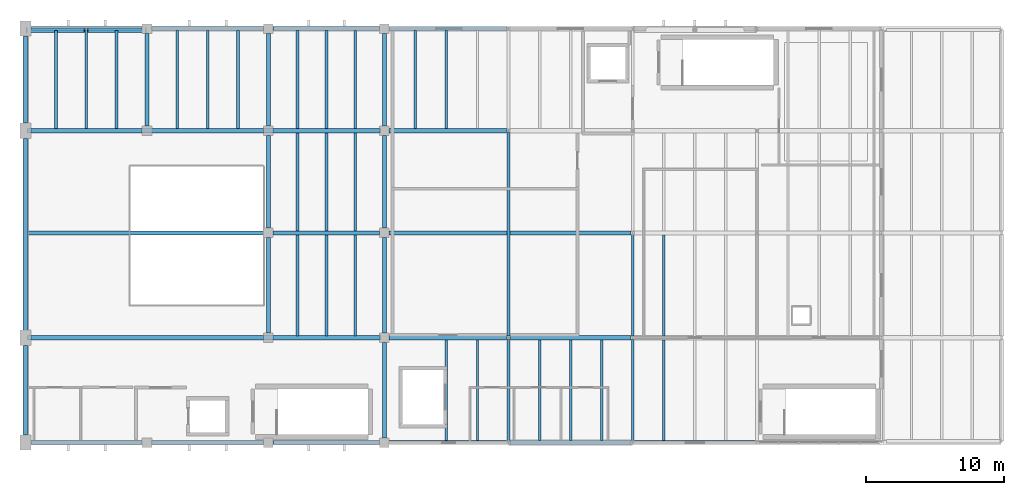
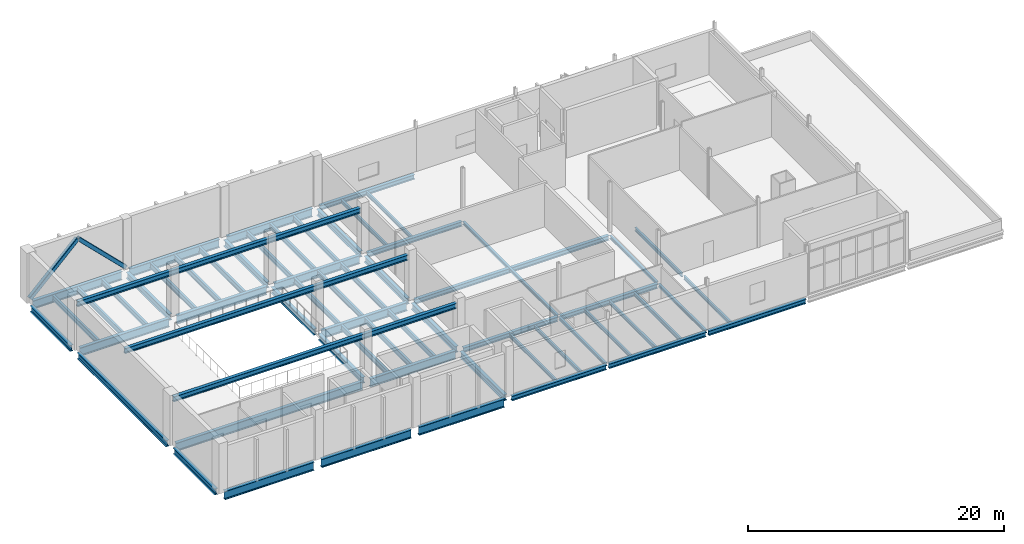
# One storey, part 4 of 14: 62 beams, 2 members.
"""IFC4 building model written with IfcOpenShell, lengths in metres."""

from ifc_helpers import new_model, si_unit, direction, frame, origin, origin_2d, place, context, subcontext, project, spatial, hollow_rectangle, i_section, extrude, material, material_profile, profile_set, type_object, element, save


model = new_model("IFC4")

# Units and contexts
model_context = context("Model", 3, precision=1e-05, world=origin(), true_north=direction((0.0, 1.0)))
body_context = subcontext(model_context, "Body", "Model", "MODEL_VIEW")
ifc_project = project(units=[si_unit("LENGTHUNIT", "METRE"), si_unit("AREAUNIT", "SQUARE_METRE"), si_unit("VOLUMEUNIT", "CUBIC_METRE"), si_unit("PLANEANGLEUNIT", "RADIAN"), si_unit("MASSUNIT", "GRAM", prefix="KILO")], contexts=[model_context])

# Site, building, storey
site_placement = place(None, origin())
site = spatial("IfcSite", under=ifc_project, at=site_placement, CompositionType="ELEMENT")
building_placement = place(site_placement, origin())
building = spatial("IfcBuilding", under=site, at=building_placement, Name="Shengluoqiao Park Theatre", CompositionType="ELEMENT")
storey_placement = place(building_placement, frame((0.0, 0.0, 23.800048828125)))
storey = spatial("IfcBuildingStorey", under=building, at=storey_placement, Name="L05", CompositionType="ELEMENT", Elevation=23.800048828125)

# Beams
ifc_material_1 = material(Name="Steel Q355", Category="steel")
ifc_material_profile_1 = material_profile(ifc_material_1, i_section(OverallWidth=0.199951171875, OverallDepth=0.2939453125, WebThickness=0.008056640625, FlangeThickness=0.011962890625, FilletRadius=0.01611328125, at=origin_2d()), Name="HM 294x200x8x12")
ifc_profile_set_1 = profile_set([ifc_material_profile_1], Name="Steel Q355")
beam_type_1 = type_object("IfcBeamType", Name="STR-BM-G-HM294", PredefinedType="BEAM", material=ifc_profile_set_1)
beam_1_placement = place(storey_placement, frame((121.39990234375, 84.118896484375, -0.406982421875), z_axis=(0.0, 1.0, 0.0), x_axis=(-1.0, 0.0, 0.0)))
element("IfcBeam", 1, at=beam_1_placement, inside=storey, type_object=beam_type_1, Name="L05 Transverse Girder 01667", PredefinedType="BEAM", context=body_context, shape_type="SweptSolid", body=[
    extrude(i_section(OverallWidth=0.199951171875, OverallDepth=0.2939453125, WebThickness=0.008056640625, FlangeThickness=0.011962890625, FilletRadius=0.01611328125, at=origin_2d()), origin(), (0.0, 0.0, 1.0), 7.362060546875),
])
beam_2_placement = place(storey_placement, frame((121.39990234375, 91.718994140625, -0.406982421875), z_axis=(0.0, 1.0, 0.0), x_axis=(-1.0, 0.0, 0.0)))
element("IfcBeam", 2, at=beam_2_placement, inside=storey, type_object=beam_type_1, Name="L05 Transverse Girder 01668", PredefinedType="BEAM", context=body_context, shape_type="SweptSolid", body=[
    extrude(i_section(OverallWidth=0.199951171875, OverallDepth=0.2939453125, WebThickness=0.008056640625, FlangeThickness=0.011962890625, FilletRadius=0.01611328125, at=origin_2d()), origin(), (0.0, 0.0, 1.0), 14.761962890625),
])
for number, where, z_axis, x_axis, name in (
    (3, (130.39990234375, 84.118896484375, -0.406982421875), (0.0, 1.0, 0.0), (-1.0, 0.0, 0.0), "L05 Transverse Girder 01670"),
    (4, (130.39990234375, 91.718994140625, -0.406982421875), (0.0, 1.0, 0.0), (-1.0, 0.0, 0.0), "L05 Transverse Girder 01671"),
):
    element("IfcBeam", number, at=place(storey_placement, frame(where, z_axis=z_axis, x_axis=x_axis)), inside=storey, type_object=beam_type_1, Name=name, PredefinedType="BEAM", context=body_context, shape_type="SweptSolid", body=[
        extrude(i_section(OverallWidth=0.199951171875, OverallDepth=0.2939453125, WebThickness=0.008056640625, FlangeThickness=0.011962890625, FilletRadius=0.01611328125, at=origin_2d()), origin(), (0.0, 0.0, 1.0), 7.362060546875),
    ])
ifc_material_profile_2 = material_profile(ifc_material_1, i_section(OverallWidth=0.300048828125, OverallDepth=0.43994140625, WebThickness=0.010986328125, FlangeThickness=0.01806640625, FilletRadius=0.02001953125, at=origin_2d()), Name="HM 440x300x11x18")
ifc_profile_set_2 = profile_set([ifc_material_profile_2], Name="Steel Q355")
beam_type_2 = type_object("IfcBeamType", Name="STR-BM-G-HM440", PredefinedType="BEAM", material=ifc_profile_set_2)
beam_3_placement = place(storey_placement, frame((112.743896484375, 84.0, -0.47998046875), z_axis=(1.0, 0.0, 0.0), x_axis=(0.0, 1.0, 0.0)))
element("IfcBeam", 5, at=beam_3_placement, inside=storey, type_object=beam_type_2, Name="L05 Primary Girder 01658", PredefinedType="BEAM", context=body_context, shape_type="SweptSolid", body=[
    extrude(i_section(OverallWidth=0.300048828125, OverallDepth=0.43994140625, WebThickness=0.010986328125, FlangeThickness=0.01806640625, FilletRadius=0.02001953125, at=origin_2d()), origin(), (0.0, 0.0, 1.0), 8.53466796875),
])
beam_4_placement = place(storey_placement, frame((121.521484375, 84.0, -0.47998046875), z_axis=(1.0, 0.0, 0.0), x_axis=(0.0, 1.0, 0.0)))
element("IfcBeam", 6, at=beam_4_placement, inside=storey, type_object=beam_type_2, Name="L05 Primary Girder 01659", PredefinedType="BEAM", context=body_context, shape_type="SweptSolid", body=[
    extrude(i_section(OverallWidth=0.300048828125, OverallDepth=0.43994140625, WebThickness=0.010986328125, FlangeThickness=0.01806640625, FilletRadius=0.02001953125, at=origin_2d()), origin(), (0.0, 0.0, 1.0), 8.757080078125),
])
beam_5_placement = place(storey_placement, frame((112.743896484375, 91.60009765625, -0.47998046875), z_axis=(1.0, 0.0, 0.0), x_axis=(0.0, 1.0, 0.0)))
element("IfcBeam", 7, at=beam_5_placement, inside=storey, type_object=beam_type_2, Name="L05 Primary Girder 01660", PredefinedType="BEAM", context=body_context, shape_type="SweptSolid", body=[
    extrude(i_section(OverallWidth=0.300048828125, OverallDepth=0.43994140625, WebThickness=0.010986328125, FlangeThickness=0.01806640625, FilletRadius=0.02001953125, at=origin_2d()), origin(), (0.0, 0.0, 1.0), 8.53466796875),
])
beam_6_placement = place(storey_placement, frame((121.521484375, 91.60009765625, -0.47998046875), z_axis=(1.0, 0.0, 0.0), x_axis=(0.0, 1.0, 0.0)))
element("IfcBeam", 8, at=beam_6_placement, inside=storey, type_object=beam_type_2, Name="L05 Primary Girder 01661", PredefinedType="BEAM", context=body_context, shape_type="SweptSolid", body=[
    extrude(i_section(OverallWidth=0.300048828125, OverallDepth=0.43994140625, WebThickness=0.010986328125, FlangeThickness=0.01806640625, FilletRadius=0.02001953125, at=origin_2d()), origin(), (0.0, 0.0, 1.0), 8.757080078125),
])
beam_7_placement = place(storey_placement, frame((112.743896484375, 99.199951171875, -0.47998046875), z_axis=(1.0, 0.0, 0.0), x_axis=(0.0, 1.0, 0.0)))
element("IfcBeam", 9, at=beam_7_placement, inside=storey, type_object=beam_type_2, Name="L05 Primary Girder 01662", PredefinedType="BEAM", context=body_context, shape_type="SweptSolid", body=[
    extrude(i_section(OverallWidth=0.300048828125, OverallDepth=0.43994140625, WebThickness=0.010986328125, FlangeThickness=0.01806640625, FilletRadius=0.02001953125, at=origin_2d()), origin(), (0.0, 0.0, 1.0), 17.53466796875),
])
for number, where, z_axis, x_axis, name in (
    (10, (112.743896484375, 106.60009765625, -0.47998046875), (1.0, 0.0, 0.0), (0.0, 1.0, 0.0), "L05 Primary Girder 01663"),
    (11, (112.743896484375, 114.0, -0.47998046875), (1.0, 0.0, 0.0), (0.0, 1.0, 0.0), "L05 Primary Girder 01665"),
):
    element("IfcBeam", number, at=place(storey_placement, frame(where, z_axis=z_axis, x_axis=x_axis)), inside=storey, type_object=beam_type_2, Name=name, PredefinedType="BEAM", context=body_context, shape_type="SweptSolid", body=[
        extrude(i_section(OverallWidth=0.300048828125, OverallDepth=0.43994140625, WebThickness=0.010986328125, FlangeThickness=0.01806640625, FilletRadius=0.02001953125, at=origin_2d()), origin(), (0.0, 0.0, 1.0), 8.53466796875),
    ])
beam_8_placement = place(storey_placement, frame((130.521484375, 84.0, -0.47998046875), z_axis=(1.0, 0.0, 0.0), x_axis=(0.0, 1.0, 0.0)))
element("IfcBeam", 12, at=beam_8_placement, inside=storey, type_object=beam_type_2, Name="L05 Primary Girder 01684", PredefinedType="BEAM", context=body_context, shape_type="SweptSolid", body=[
    extrude(i_section(OverallWidth=0.300048828125, OverallDepth=0.43994140625, WebThickness=0.010986328125, FlangeThickness=0.01806640625, FilletRadius=0.02001953125, at=origin_2d()), origin(), (0.0, 0.0, 1.0), 8.757080078125),
])
ifc_material_profile_3 = material_profile(ifc_material_1, i_section(OverallWidth=0.300048828125, OverallDepth=0.488037109375, WebThickness=0.010986328125, FlangeThickness=0.01806640625, FilletRadius=0.02197265625, at=origin_2d()), Name="HM 488x300x11x18")
ifc_profile_set_3 = profile_set([ifc_material_profile_3], Name="Steel Q355")
beam_type_3 = type_object("IfcBeamType", Name="STR-BM-G-HM488", PredefinedType="BEAM", material=ifc_profile_set_3)
for number, where, z_axis, x_axis, name in (
    (13, (86.550048828125, 91.60009765625, 4.0), (1.0, 0.0, 0.0), (0.0, 1.0, 0.0), "Stage Gridiron Rigging Beam 01"),
    (14, (86.550048828125, 99.199951171875, 4.0), (1.0, 0.0, 0.0), (0.0, 1.0, 0.0), "Stage Gridiron Rigging Beam 02"),
    (15, (86.550048828125, 106.60009765625, 4.0), (1.0, 0.0, 0.0), (0.0, 1.0, 0.0), "Stage Gridiron Rigging Beam 03"),
):
    element("IfcBeam", number, at=place(storey_placement, frame(where, z_axis=z_axis, x_axis=x_axis)), inside=storey, type_object=beam_type_3, Name=name, PredefinedType="BEAM", context=body_context, shape_type="SweptSolid", body=[
        extrude(i_section(OverallWidth=0.300048828125, OverallDepth=0.488037109375, WebThickness=0.010986328125, FlangeThickness=0.01806640625, FilletRadius=0.02197265625, at=origin_2d()), origin(), (0.0, 0.0, 1.0), 25.599853515625),
    ])
ifc_material_profile_4 = material_profile(ifc_material_1, i_section(OverallWidth=0.300048828125, OverallDepth=0.58203125, WebThickness=0.011962890625, FlangeThickness=0.01708984375, FilletRadius=0.02392578125, at=origin_2d()), Name="HM 582x300x12x17")
ifc_profile_set_4 = profile_set([ifc_material_profile_4], Name="Steel Q355")
beam_type_4 = type_object("IfcBeamType", Name="STR-BM-G-HM582", PredefinedType="BEAM", material=ifc_profile_set_4)
beam_9_placement = place(storey_placement, frame((86.39990234375, 84.5439453125, -0.551025390625), z_axis=(0.0, 1.0, 0.0), x_axis=(-1.0, 0.0, 0.0)))
element("IfcBeam", 16, at=beam_9_placement, inside=storey, type_object=beam_type_4, Name="L05 Transverse Girder 01632", PredefinedType="BEAM", context=body_context, shape_type="SweptSolid", body=[
    extrude(i_section(OverallWidth=0.300048828125, OverallDepth=0.58203125, WebThickness=0.011962890625, FlangeThickness=0.01708984375, FilletRadius=0.02392578125, at=origin_2d()), origin(), (0.0, 0.0, 1.0), 6.511962890625),
])
beam_10_placement = place(storey_placement, frame((86.39990234375, 92.14404296875, -0.551025390625), z_axis=(0.0, 1.0, 0.0), x_axis=(-1.0, 0.0, 0.0)))
element("IfcBeam", 17, at=beam_10_placement, inside=storey, type_object=beam_type_4, Name="L05 Transverse Girder 01633", PredefinedType="BEAM", context=body_context, shape_type="SweptSolid", body=[
    extrude(i_section(OverallWidth=0.300048828125, OverallDepth=0.58203125, WebThickness=0.011962890625, FlangeThickness=0.01708984375, FilletRadius=0.02392578125, at=origin_2d()), origin(), (0.0, 0.0, 1.0), 13.911865234375),
])
beam_11_placement = place(storey_placement, frame((86.39990234375, 107.14404296875, -0.551025390625), z_axis=(0.0, 1.0, 0.0), x_axis=(-1.0, 0.0, 0.0)))
element("IfcBeam", 18, at=beam_11_placement, inside=storey, type_object=beam_type_4, Name="L05 Transverse Girder 01634", PredefinedType="BEAM", context=body_context, shape_type="SweptSolid", body=[
    extrude(i_section(OverallWidth=0.300048828125, OverallDepth=0.58203125, WebThickness=0.011962890625, FlangeThickness=0.01708984375, FilletRadius=0.02392578125, at=origin_2d()), origin(), (0.0, 0.0, 1.0), 6.31201171875),
])
beam_12_placement = place(storey_placement, frame((95.199951171875, 106.944091796875, -0.551025390625), z_axis=(0.0, 1.0, 0.0), x_axis=(-1.0, 0.0, 0.0)))
element("IfcBeam", 19, at=beam_12_placement, inside=storey, type_object=beam_type_4, Name="L05 Transverse Girder 01635", PredefinedType="BEAM", context=body_context, shape_type="SweptSolid", body=[
    extrude(i_section(OverallWidth=0.300048828125, OverallDepth=0.58203125, WebThickness=0.011962890625, FlangeThickness=0.01708984375, FilletRadius=0.02392578125, at=origin_2d()), origin(), (0.0, 0.0, 1.0), 6.7119140625),
])
beam_13_placement = place(storey_placement, frame((104.0, 91.944091796875, -0.551025390625), z_axis=(0.0, 1.0, 0.0), x_axis=(-1.0, 0.0, 0.0)))
element("IfcBeam", 20, at=beam_13_placement, inside=storey, type_object=beam_type_4, Name="L05 Transverse Girder 01636", PredefinedType="BEAM", context=body_context, shape_type="SweptSolid", body=[
    extrude(i_section(OverallWidth=0.300048828125, OverallDepth=0.58203125, WebThickness=0.011962890625, FlangeThickness=0.01708984375, FilletRadius=0.02392578125, at=origin_2d()), origin(), (0.0, 0.0, 1.0), 6.911865234375),
])
beam_14_placement = place(storey_placement, frame((104.0, 99.5439453125, -0.551025390625), z_axis=(0.0, 1.0, 0.0), x_axis=(-1.0, 0.0, 0.0)))
element("IfcBeam", 21, at=beam_14_placement, inside=storey, type_object=beam_type_4, Name="L05 Transverse Girder 01637", PredefinedType="BEAM", context=body_context, shape_type="SweptSolid", body=[
    extrude(i_section(OverallWidth=0.300048828125, OverallDepth=0.58203125, WebThickness=0.011962890625, FlangeThickness=0.01708984375, FilletRadius=0.02392578125, at=origin_2d()), origin(), (0.0, 0.0, 1.0), 6.712158203125),
])
beam_15_placement = place(storey_placement, frame((104.0, 106.944091796875, -0.551025390625), z_axis=(0.0, 1.0, 0.0), x_axis=(-1.0, 0.0, 0.0)))
element("IfcBeam", 22, at=beam_15_placement, inside=storey, type_object=beam_type_4, Name="L05 Transverse Girder 01638", PredefinedType="BEAM", context=body_context, shape_type="SweptSolid", body=[
    extrude(i_section(OverallWidth=0.300048828125, OverallDepth=0.58203125, WebThickness=0.011962890625, FlangeThickness=0.01708984375, FilletRadius=0.02392578125, at=origin_2d()), origin(), (0.0, 0.0, 1.0), 6.7119140625),
])
beam_16_placement = place(storey_placement, frame((112.39990234375, 84.343994140625, -0.551025390625), z_axis=(0.0, 1.0, 0.0), x_axis=(-1.0, 0.0, 0.0)))
element("IfcBeam", 23, at=beam_16_placement, inside=storey, type_object=beam_type_4, Name="L05 Transverse Girder 01639", PredefinedType="BEAM", context=body_context, shape_type="SweptSolid", body=[
    extrude(i_section(OverallWidth=0.300048828125, OverallDepth=0.58203125, WebThickness=0.011962890625, FlangeThickness=0.01708984375, FilletRadius=0.02392578125, at=origin_2d()), origin(), (0.0, 0.0, 1.0), 6.912109375),
])
beam_17_placement = place(storey_placement, frame((112.39990234375, 91.944091796875, -0.551025390625), z_axis=(0.0, 1.0, 0.0), x_axis=(-1.0, 0.0, 0.0)))
element("IfcBeam", 24, at=beam_17_placement, inside=storey, type_object=beam_type_4, Name="L05 Transverse Girder 01640", PredefinedType="BEAM", context=body_context, shape_type="SweptSolid", body=[
    extrude(i_section(OverallWidth=0.300048828125, OverallDepth=0.58203125, WebThickness=0.011962890625, FlangeThickness=0.01708984375, FilletRadius=0.02392578125, at=origin_2d()), origin(), (0.0, 0.0, 1.0), 6.911865234375),
])
beam_18_placement = place(storey_placement, frame((112.39990234375, 99.5439453125, -0.551025390625), z_axis=(0.0, 1.0, 0.0), x_axis=(-1.0, 0.0, 0.0)))
element("IfcBeam", 25, at=beam_18_placement, inside=storey, type_object=beam_type_4, Name="L05 Transverse Girder 01641", PredefinedType="BEAM", context=body_context, shape_type="SweptSolid", body=[
    extrude(i_section(OverallWidth=0.300048828125, OverallDepth=0.58203125, WebThickness=0.011962890625, FlangeThickness=0.01708984375, FilletRadius=0.02392578125, at=origin_2d()), origin(), (0.0, 0.0, 1.0), 6.712158203125),
])
beam_19_placement = place(storey_placement, frame((112.39990234375, 106.944091796875, -0.551025390625), z_axis=(0.0, 1.0, 0.0), x_axis=(-1.0, 0.0, 0.0)))
element("IfcBeam", 26, at=beam_19_placement, inside=storey, type_object=beam_type_4, Name="L05 Transverse Girder 01642", PredefinedType="BEAM", context=body_context, shape_type="SweptSolid", body=[
    extrude(i_section(OverallWidth=0.300048828125, OverallDepth=0.58203125, WebThickness=0.011962890625, FlangeThickness=0.01708984375, FilletRadius=0.02392578125, at=origin_2d()), origin(), (0.0, 0.0, 1.0), 6.7119140625),
])
ifc_material_2 = material(Name="Steel Q390", Category="steel")
ifc_material_profile_5 = material_profile(ifc_material_2, i_section(OverallWidth=0.300048828125, OverallDepth=0.800048828125, WebThickness=0.013916015625, FlangeThickness=0.02587890625, FilletRadius=0.02587890625, at=origin_2d()), Name="HN 800x300x14x26")
ifc_profile_set_5 = profile_set([ifc_material_profile_5], Name="Steel Q390")
beam_type_5 = type_object("IfcBeamType", Name="STR-BM-G-HN800", PredefinedType="BEAM", material=ifc_profile_set_5)
beam_20_placement = place(storey_placement, frame((86.7939453125, 84.0, -0.66015625), z_axis=(1.0, 0.0, 0.0), x_axis=(0.0, 1.0, 0.0)))
element("IfcBeam", 27, at=beam_20_placement, inside=storey, type_object=beam_type_5, Name="L05 Primary Girder 01620", PredefinedType="BEAM", context=body_context, shape_type="SweptSolid", body=[
    extrude(i_section(OverallWidth=0.300048828125, OverallDepth=0.800048828125, WebThickness=0.013916015625, FlangeThickness=0.02587890625, FilletRadius=0.02587890625, at=origin_2d()), origin(), (0.0, 0.0, 1.0), 8.06201171875),
])
beam_21_placement = place(storey_placement, frame((95.5439453125, 84.0, -0.66015625), z_axis=(1.0, 0.0, 0.0), x_axis=(0.0, 1.0, 0.0)))
element("IfcBeam", 28, at=beam_21_placement, inside=storey, type_object=beam_type_5, Name="L05 Primary Girder 01621", PredefinedType="BEAM", context=body_context, shape_type="SweptSolid", body=[
    extrude(i_section(OverallWidth=0.300048828125, OverallDepth=0.800048828125, WebThickness=0.013916015625, FlangeThickness=0.02587890625, FilletRadius=0.02587890625, at=origin_2d()), origin(), (0.0, 0.0, 1.0), 8.112060546875),
])
beam_22_placement = place(storey_placement, frame((104.343994140625, 84.0, -0.66015625), z_axis=(1.0, 0.0, 0.0), x_axis=(0.0, 1.0, 0.0)))
element("IfcBeam", 29, at=beam_22_placement, inside=storey, type_object=beam_type_5, Name="L05 Primary Girder 01622", PredefinedType="BEAM", context=body_context, shape_type="SweptSolid", body=[
    extrude(i_section(OverallWidth=0.300048828125, OverallDepth=0.800048828125, WebThickness=0.013916015625, FlangeThickness=0.02587890625, FilletRadius=0.02587890625, at=origin_2d()), origin(), (0.0, 0.0, 1.0), 7.7119140625),
])
beam_23_placement = place(storey_placement, frame((86.7939453125, 91.60009765625, -0.66015625), z_axis=(1.0, 0.0, 0.0), x_axis=(0.0, 1.0, 0.0)))
element("IfcBeam", 30, at=beam_23_placement, inside=storey, type_object=beam_type_5, Name="L05 Primary Girder 01623", PredefinedType="BEAM", context=body_context, shape_type="SweptSolid", body=[
    extrude(i_section(OverallWidth=0.300048828125, OverallDepth=0.800048828125, WebThickness=0.013916015625, FlangeThickness=0.02587890625, FilletRadius=0.02587890625, at=origin_2d()), origin(), (0.0, 0.0, 1.0), 16.862060546875),
])
for number, where, z_axis, x_axis, name in (
    (31, (104.343994140625, 91.60009765625, -0.66015625), (1.0, 0.0, 0.0), (0.0, 1.0, 0.0), "L05 Primary Girder 01624"),
    (32, (104.343994140625, 99.199951171875, -0.66015625), (1.0, 0.0, 0.0), (0.0, 1.0, 0.0), "L05 Primary Girder 01625"),
):
    element("IfcBeam", number, at=place(storey_placement, frame(where, z_axis=z_axis, x_axis=x_axis)), inside=storey, type_object=beam_type_5, Name=name, PredefinedType="BEAM", context=body_context, shape_type="SweptSolid", body=[
        extrude(i_section(OverallWidth=0.300048828125, OverallDepth=0.800048828125, WebThickness=0.013916015625, FlangeThickness=0.02587890625, FilletRadius=0.02587890625, at=origin_2d()), origin(), (0.0, 0.0, 1.0), 7.7119140625),
    ])
beam_24_placement = place(storey_placement, frame((86.7939453125, 106.60009765625, -0.66015625), z_axis=(1.0, 0.0, 0.0), x_axis=(0.0, 1.0, 0.0)))
element("IfcBeam", 33, at=beam_24_placement, inside=storey, type_object=beam_type_5, Name="L05 Primary Girder 01626", PredefinedType="BEAM", context=body_context, shape_type="SweptSolid", body=[
    extrude(i_section(OverallWidth=0.300048828125, OverallDepth=0.800048828125, WebThickness=0.013916015625, FlangeThickness=0.02587890625, FilletRadius=0.02587890625, at=origin_2d()), origin(), (0.0, 0.0, 1.0), 8.06201171875),
])
beam_25_placement = place(storey_placement, frame((95.5439453125, 106.60009765625, -0.66015625), z_axis=(1.0, 0.0, 0.0), x_axis=(0.0, 1.0, 0.0)))
element("IfcBeam", 34, at=beam_25_placement, inside=storey, type_object=beam_type_5, Name="L05 Primary Girder 01627", PredefinedType="BEAM", context=body_context, shape_type="SweptSolid", body=[
    extrude(i_section(OverallWidth=0.300048828125, OverallDepth=0.800048828125, WebThickness=0.013916015625, FlangeThickness=0.02587890625, FilletRadius=0.02587890625, at=origin_2d()), origin(), (0.0, 0.0, 1.0), 8.112060546875),
])
beam_26_placement = place(storey_placement, frame((104.343994140625, 106.60009765625, -0.66015625), z_axis=(1.0, 0.0, 0.0), x_axis=(0.0, 1.0, 0.0)))
element("IfcBeam", 35, at=beam_26_placement, inside=storey, type_object=beam_type_5, Name="L05 Primary Girder 01628", PredefinedType="BEAM", context=body_context, shape_type="SweptSolid", body=[
    extrude(i_section(OverallWidth=0.300048828125, OverallDepth=0.800048828125, WebThickness=0.013916015625, FlangeThickness=0.02587890625, FilletRadius=0.02587890625, at=origin_2d()), origin(), (0.0, 0.0, 1.0), 7.7119140625),
])
beam_27_placement = place(storey_placement, frame((86.7939453125, 114.0, -0.66015625), z_axis=(1.0, 0.0, 0.0), x_axis=(0.0, 1.0, 0.0)))
element("IfcBeam", 36, at=beam_27_placement, inside=storey, type_object=beam_type_5, Name="L05 Primary Girder 01629", PredefinedType="BEAM", context=body_context, shape_type="SweptSolid", body=[
    extrude(i_section(OverallWidth=0.300048828125, OverallDepth=0.800048828125, WebThickness=0.013916015625, FlangeThickness=0.02587890625, FilletRadius=0.02587890625, at=origin_2d()), origin(), (0.0, 0.0, 1.0), 8.06201171875),
])
beam_28_placement = place(storey_placement, frame((95.5439453125, 114.0, -0.66015625), z_axis=(1.0, 0.0, 0.0), x_axis=(0.0, 1.0, 0.0)))
element("IfcBeam", 37, at=beam_28_placement, inside=storey, type_object=beam_type_5, Name="L05 Primary Girder 01630", PredefinedType="BEAM", context=body_context, shape_type="SweptSolid", body=[
    extrude(i_section(OverallWidth=0.300048828125, OverallDepth=0.800048828125, WebThickness=0.013916015625, FlangeThickness=0.02587890625, FilletRadius=0.02587890625, at=origin_2d()), origin(), (0.0, 0.0, 1.0), 8.112060546875),
])
beam_29_placement = place(storey_placement, frame((104.343994140625, 114.0, -0.66015625), z_axis=(1.0, 0.0, 0.0), x_axis=(0.0, 1.0, 0.0)))
element("IfcBeam", 38, at=beam_29_placement, inside=storey, type_object=beam_type_5, Name="L05 Primary Girder 01631", PredefinedType="BEAM", context=body_context, shape_type="SweptSolid", body=[
    extrude(i_section(OverallWidth=0.300048828125, OverallDepth=0.800048828125, WebThickness=0.013916015625, FlangeThickness=0.02587890625, FilletRadius=0.02587890625, at=origin_2d()), origin(), (0.0, 0.0, 1.0), 7.7119140625),
])
ifc_material_profile_6 = material_profile(ifc_material_1, i_section(OverallWidth=0.175048828125, OverallDepth=0.35009765625, WebThickness=0.007080078125, FlangeThickness=0.010986328125, FilletRadius=0.013916015625, at=origin_2d()), Name="HN 350x175x7x11")
ifc_profile_set_6 = profile_set([ifc_material_profile_6], Name="Steel Q355")
beam_type_6 = type_object("IfcBeamType", Name="STR-BM-J-HN350", PredefinedType="JOIST", material=ifc_profile_set_6)
for number, where, z_axis, x_axis, name in (
    (39, (116.89990234375, 84.14501953125, -0.43505859375), (0.0, 1.0, 0.0), (-1.0, 0.0, 0.0), "L05 Composite Joist 01674"),
    (40, (119.14990234375, 84.14501953125, -0.43505859375), (0.0, 1.0, 0.0), (-1.0, 0.0, 0.0), "L05 Composite Joist 01675"),
):
    element("IfcBeam", number, at=place(storey_placement, frame(where, z_axis=z_axis, x_axis=x_axis)), inside=storey, type_object=beam_type_6, Name=name, PredefinedType="JOIST", context=body_context, shape_type="SweptSolid", body=[
        extrude(i_section(OverallWidth=0.175048828125, OverallDepth=0.35009765625, WebThickness=0.007080078125, FlangeThickness=0.010986328125, FilletRadius=0.013916015625, at=origin_2d()), origin(), (0.0, 0.0, 1.0), 7.31005859375),
    ])
for number, where, z_axis, x_axis, name in (
    (41, (114.64990234375, 106.7451171875, -0.43505859375), (0.0, 1.0, 0.0), (-1.0, 0.0, 0.0), "L05 Composite Joist 01676"),
    (42, (116.89990234375, 106.7451171875, -0.43505859375), (0.0, 1.0, 0.0), (-1.0, 0.0, 0.0), "L05 Composite Joist 01677"),
):
    element("IfcBeam", number, at=place(storey_placement, frame(where, z_axis=z_axis, x_axis=x_axis)), inside=storey, type_object=beam_type_6, Name=name, PredefinedType="JOIST", context=body_context, shape_type="SweptSolid", body=[
        extrude(i_section(OverallWidth=0.175048828125, OverallDepth=0.35009765625, WebThickness=0.007080078125, FlangeThickness=0.010986328125, FilletRadius=0.013916015625, at=origin_2d()), origin(), (0.0, 0.0, 1.0), 7.10986328125),
    ])
for number, where, z_axis, x_axis, name in (
    (43, (123.64990234375, 84.14501953125, -0.43505859375), (0.0, 1.0, 0.0), (-1.0, 0.0, 0.0), "L05 Composite Joist 01679"),
    (44, (125.89990234375, 84.14501953125, -0.43505859375), (0.0, 1.0, 0.0), (-1.0, 0.0, 0.0), "L05 Composite Joist 01680"),
    (45, (128.14990234375, 84.14501953125, -0.43505859375), (0.0, 1.0, 0.0), (-1.0, 0.0, 0.0), "L05 Composite Joist 01681"),
    (46, (132.64990234375, 84.14501953125, -0.43505859375), (0.0, 1.0, 0.0), (-1.0, 0.0, 0.0), "L05 Composite Joist 01701"),
):
    element("IfcBeam", number, at=place(storey_placement, frame(where, z_axis=z_axis, x_axis=x_axis)), inside=storey, type_object=beam_type_6, Name=name, PredefinedType="JOIST", context=body_context, shape_type="SweptSolid", body=[
        extrude(i_section(OverallWidth=0.175048828125, OverallDepth=0.35009765625, WebThickness=0.007080078125, FlangeThickness=0.010986328125, FilletRadius=0.013916015625, at=origin_2d()), origin(), (0.0, 0.0, 1.0), 7.31005859375),
    ])
beam_30_placement = place(storey_placement, frame((132.64990234375, 91.7451171875, -0.43505859375), z_axis=(0.0, 1.0, 0.0), x_axis=(-1.0, 0.0, 0.0)))
element("IfcBeam", 47, at=beam_30_placement, inside=storey, type_object=beam_type_6, Name="L05 Composite Joist 01704", PredefinedType="JOIST", context=body_context, shape_type="SweptSolid", body=[
    extrude(i_section(OverallWidth=0.175048828125, OverallDepth=0.35009765625, WebThickness=0.007080078125, FlangeThickness=0.010986328125, FilletRadius=0.013916015625, at=origin_2d()), origin(), (0.0, 0.0, 1.0), 7.309814453125),
])
ifc_material_profile_7 = material_profile(ifc_material_1, i_section(OverallWidth=0.199951171875, OverallDepth=0.5, WebThickness=0.010009765625, FlangeThickness=0.01611328125, FilletRadius=0.01806640625, at=origin_2d()), Name="HN 500x200x10x16")
ifc_profile_set_7 = profile_set([ifc_material_profile_7], Name="Steel Q355")
beam_type_7 = type_object("IfcBeamType", Name="STR-BM-J-HN500", PredefinedType="JOIST", material=ifc_profile_set_7)
for number, where, z_axis, x_axis, name in (
    (48, (88.60009765625, 106.7451171875, -0.510009765625), (0.0, 1.0, 0.0), (-1.0, 0.0, 0.0), "L05 Composite Joist 01643"),
    (49, (90.800048828125, 106.7451171875, -0.510009765625), (0.0, 1.0, 0.0), (-1.0, 0.0, 0.0), "L05 Composite Joist 01644"),
    (50, (93.0, 106.7451171875, -0.510009765625), (0.0, 1.0, 0.0), (-1.0, 0.0, 0.0), "L05 Composite Joist 01645"),
    (51, (97.39990234375, 106.7451171875, -0.510009765625), (0.0, 1.0, 0.0), (-1.0, 0.0, 0.0), "L05 Composite Joist 01646"),
    (52, (99.60009765625, 106.7451171875, -0.510009765625), (0.0, 1.0, 0.0), (-1.0, 0.0, 0.0), "L05 Composite Joist 01647"),
    (53, (101.800048828125, 106.7451171875, -0.510009765625), (0.0, 1.0, 0.0), (-1.0, 0.0, 0.0), "L05 Composite Joist 01648"),
):
    element("IfcBeam", number, at=place(storey_placement, frame(where, z_axis=z_axis, x_axis=x_axis)), inside=storey, type_object=beam_type_7, Name=name, PredefinedType="JOIST", context=body_context, shape_type="SweptSolid", body=[
        extrude(i_section(OverallWidth=0.199951171875, OverallDepth=0.5, WebThickness=0.010009765625, FlangeThickness=0.01611328125, FilletRadius=0.01806640625, at=origin_2d()), origin(), (0.0, 0.0, 1.0), 7.10986328125),
    ])
for number, where, z_axis, x_axis, name in (
    (54, (106.10009765625, 91.7451171875, -0.510009765625), (0.0, 1.0, 0.0), (-1.0, 0.0, 0.0), "L05 Composite Joist 01649"),
    (55, (108.199951171875, 91.7451171875, -0.510009765625), (0.0, 1.0, 0.0), (-1.0, 0.0, 0.0), "L05 Composite Joist 01650"),
    (56, (110.300048828125, 91.7451171875, -0.510009765625), (0.0, 1.0, 0.0), (-1.0, 0.0, 0.0), "L05 Composite Joist 01651"),
):
    element("IfcBeam", number, at=place(storey_placement, frame(where, z_axis=z_axis, x_axis=x_axis)), inside=storey, type_object=beam_type_7, Name=name, PredefinedType="JOIST", context=body_context, shape_type="SweptSolid", body=[
        extrude(i_section(OverallWidth=0.199951171875, OverallDepth=0.5, WebThickness=0.010009765625, FlangeThickness=0.01611328125, FilletRadius=0.01806640625, at=origin_2d()), origin(), (0.0, 0.0, 1.0), 7.309814453125),
    ])
for number, where, z_axis, x_axis, name in (
    (57, (106.10009765625, 99.344970703125, -0.510009765625), (0.0, 1.0, 0.0), (-1.0, 0.0, 0.0), "L05 Composite Joist 01652"),
    (58, (108.199951171875, 99.344970703125, -0.510009765625), (0.0, 1.0, 0.0), (-1.0, 0.0, 0.0), "L05 Composite Joist 01653"),
    (59, (110.300048828125, 99.344970703125, -0.510009765625), (0.0, 1.0, 0.0), (-1.0, 0.0, 0.0), "L05 Composite Joist 01654"),
):
    element("IfcBeam", number, at=place(storey_placement, frame(where, z_axis=z_axis, x_axis=x_axis)), inside=storey, type_object=beam_type_7, Name=name, PredefinedType="JOIST", context=body_context, shape_type="SweptSolid", body=[
        extrude(i_section(OverallWidth=0.199951171875, OverallDepth=0.5, WebThickness=0.010009765625, FlangeThickness=0.01611328125, FilletRadius=0.01806640625, at=origin_2d()), origin(), (0.0, 0.0, 1.0), 7.110107421875),
    ])
for number, where, z_axis, x_axis, name in (
    (60, (106.10009765625, 106.7451171875, -0.510009765625), (0.0, 1.0, 0.0), (-1.0, 0.0, 0.0), "L05 Composite Joist 01655"),
    (61, (108.199951171875, 106.7451171875, -0.510009765625), (0.0, 1.0, 0.0), (-1.0, 0.0, 0.0), "L05 Composite Joist 01656"),
    (62, (110.300048828125, 106.7451171875, -0.510009765625), (0.0, 1.0, 0.0), (-1.0, 0.0, 0.0), "L05 Composite Joist 01657"),
):
    element("IfcBeam", number, at=place(storey_placement, frame(where, z_axis=z_axis, x_axis=x_axis)), inside=storey, type_object=beam_type_7, Name=name, PredefinedType="JOIST", context=body_context, shape_type="SweptSolid", body=[
        extrude(i_section(OverallWidth=0.199951171875, OverallDepth=0.5, WebThickness=0.010009765625, FlangeThickness=0.01611328125, FilletRadius=0.01806640625, at=origin_2d()), origin(), (0.0, 0.0, 1.0), 7.10986328125),
    ])

# Members
ifc_material_profile_8 = material_profile(ifc_material_2, hollow_rectangle(XDim=0.35009765625, YDim=0.35009765625, WallThickness=0.01611328125, InnerFilletRadius=0.01611328125, OuterFilletRadius=0.031982421875, at=origin_2d()), Name="RHS 350x350x16")
ifc_profile_set_8 = profile_set([ifc_material_profile_8], Name="Steel Q390")
member_type = type_object("IfcMemberType", Name="STR-MEM-BRR-350", PredefinedType="BRACE", material=ifc_profile_set_8)
for number, where, z_axis, x_axis, name in (
    (63, (86.488037109375, 113.8798828125, 0.1064453125), (0.711789987369, 0.0, 0.702392350386), (0.0, 1.0, 0.0), "L05 Chevron Brace 0011"),
    (64, (95.112060546875, 113.8798828125, 0.1064453125), (-0.711789987369, 0.0, 0.702392350386), (0.0, -1.0, 0.0), "L05 Chevron Brace 0012"),
):
    element("IfcMember", number, at=place(storey_placement, frame(where, z_axis=z_axis, x_axis=x_axis)), inside=storey, type_object=member_type, Name=name, PredefinedType="BRACE", context=body_context, shape_type="SweptSolid", body=[
        extrude(hollow_rectangle(XDim=0.35009765625, YDim=0.35009765625, WallThickness=0.01611328125, InnerFilletRadius=0.01611328125, OuterFilletRadius=0.031982421875, at=origin_2d()), origin(), (0.0, 0.0, 1.0), 6.027099609375),
    ])

save(model, "model.ifc")
